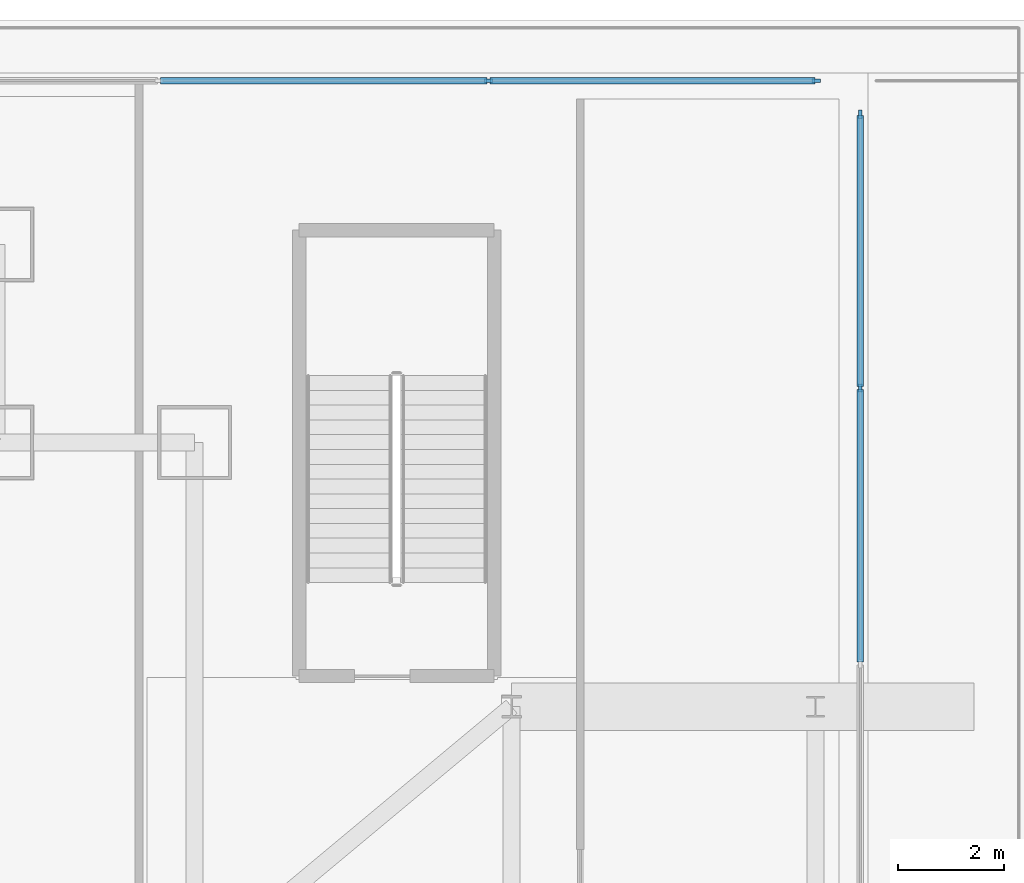
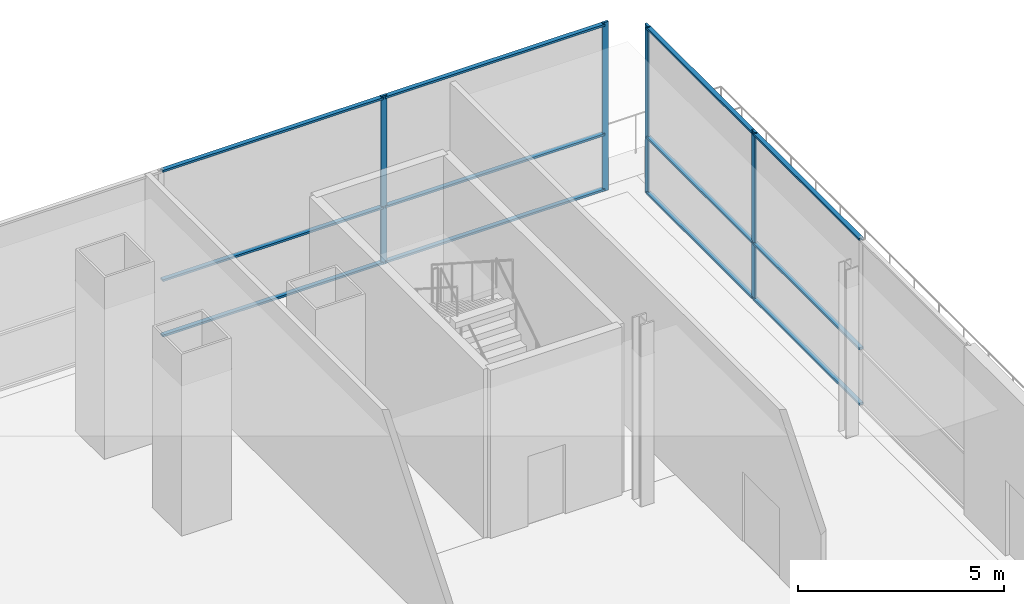
# One storey, part 19 of 35: 16 members, 2 elements without a shape of their own.
"""IFC4 building model written with IfcOpenShell, lengths in metres."""

from ifc_helpers import new_model, si_unit, direction, frame, origin, origin_2d, place, context, subcontext, project, spatial, rectangle, extrude, material, layer, layer_set, material_profile, profile_set, type_object, element, aggregate, save


model = new_model("IFC4")

# Units and contexts
model_context = context("Model", 3, precision=1e-05, world=origin(), true_north=direction((0.0, 1.0)))
body_context = subcontext(model_context, "Body", "Model", "MODEL_VIEW")
ifc_project = project(units=[si_unit("LENGTHUNIT", "METRE"), si_unit("AREAUNIT", "SQUARE_METRE"), si_unit("VOLUMEUNIT", "CUBIC_METRE"), si_unit("PLANEANGLEUNIT", "RADIAN"), si_unit("MASSUNIT", "GRAM", prefix="KILO")], contexts=[model_context])

# Site, building, storey
site_placement = place(None, origin())
site = spatial("IfcSite", under=ifc_project, at=site_placement, CompositionType="ELEMENT")
building_placement = place(site_placement, origin())
building = spatial("IfcBuilding", under=site, at=building_placement, Name="Trevonay Congress Spire", CompositionType="ELEMENT")
storey_placement = place(building_placement, frame((0.0, 0.0, 10.800048828125)))
storey = spatial("IfcBuildingStorey", under=building, at=storey_placement, Name="L02", CompositionType="ELEMENT", Elevation=10.800048828125)

# Curtain wall, members
ifc_material = material(Name="Pale Anodised Aluminium EN AW-6063-T6", Category="aluminium")
ifc_layer = layer(ifc_material, 0.179931640625, Name="Pale Anodised Aluminium EN AW-6063-T6")
ifc_layer_set = layer_set([ifc_layer], Name="Pale Anodised Aluminium EN AW-6063-T6")
curtain_wall_type = type_object("IfcCurtainWallType", Name="CW-SYS01-PODIUM-PALE-METAL", PredefinedType="NOTDEFINED", material=ifc_layer_set)
curtain_wall_1_placement = place(storey_placement, origin())
curtain_wall_1 = element("IfcCurtainWall", 1, at=curtain_wall_1_placement, inside=storey, type_object=curtain_wall_type, Name="L02 E2 podium curtain wall", PredefinedType="NOTDEFINED")
ifc_material_profile_1 = material_profile(ifc_material, rectangle(XDim=0.06005859375, YDim=0.159912109375, at=origin_2d()), Name="CW-MULLION-160-ALUMINIUM")
ifc_profile_set_1 = profile_set([ifc_material_profile_1], Name="Pale Anodised Aluminium EN AW-6063-T6")
member_type_1 = type_object("IfcMemberType", Name="CW-MULLION-160-ALUMINIUM", PredefinedType="MULLION", material=ifc_profile_set_1)
member_1_placement = place(storey_placement, frame((35.85009765625, 20.533447265625, 0.0), z_axis=(0.0, 0.0, 1.0), x_axis=(-1.0, 0.0, 0.0)))
member_1 = element("IfcMember", 2, at=member_1_placement, type_object=member_type_1, Name="CW01 mullion 3", PredefinedType="MULLION", context=body_context, shape_type="SweptSolid", body=[
    extrude(rectangle(XDim=0.06005859375, YDim=0.159912109375, at=origin_2d()), origin(), (0.0, 0.0, 1.0), 5.0),
])
member_2_placement = place(storey_placement, frame((35.85009765625, 25.719970703125, 0.0), z_axis=(0.0, 0.0, 1.0), x_axis=(-1.0, 0.0, 0.0)))
member_2 = element("IfcMember", 3, at=member_2_placement, type_object=member_type_1, Name="CW01 mullion 4", PredefinedType="MULLION", context=body_context, shape_type="SweptSolid", body=[
    extrude(rectangle(XDim=0.06005859375, YDim=0.159912109375, at=origin_2d()), origin(), (0.0, 0.0, 1.0), 5.0),
])

curtain_wall_2_placement = place(storey_placement, origin())
curtain_wall_2 = element("IfcCurtainWall", 4, at=curtain_wall_2_placement, inside=storey, type_object=curtain_wall_type, Name="L02 N2 podium curtain wall", PredefinedType="NOTDEFINED")
member_3_placement = place(storey_placement, frame((28.8125, 26.35009765625, 0.0), z_axis=(0.0, 0.0, 1.0), x_axis=(0.0, 1.0, 0.0)))
member_3 = element("IfcMember", 5, at=member_3_placement, type_object=member_type_1, Name="CW01 mullion 4", PredefinedType="MULLION", context=body_context, shape_type="SweptSolid", body=[
    extrude(rectangle(XDim=0.06005859375, YDim=0.159912109375, at=origin_2d()), origin(), (0.0, 0.0, 1.0), 5.0),
])
member_4_placement = place(storey_placement, frame((35.02001953125, 26.35009765625, 0.0), z_axis=(0.0, 0.0, 1.0), x_axis=(0.0, 1.0, 0.0)))
member_4 = element("IfcMember", 6, at=member_4_placement, type_object=member_type_1, Name="CW01 mullion 5", PredefinedType="MULLION", context=body_context, shape_type="SweptSolid", body=[
    extrude(rectangle(XDim=0.06005859375, YDim=0.159912109375, at=origin_2d()), origin(), (0.0, 0.0, 1.0), 5.0),
])

# Member
ifc_material_profile_2 = material_profile(ifc_material, rectangle(XDim=0.1201171875, YDim=0.06005859375, at=origin_2d()), Name="CW-TRANSOM-120-ALUMINIUM")
ifc_profile_set_2 = profile_set([ifc_material_profile_2], Name="Pale Anodised Aluminium EN AW-6063-T6")
member_type_2 = type_object("IfcMemberType", Name="CW-TRANSOM-120-ALUMINIUM", PredefinedType="USERDEFINED", material=ifc_profile_set_2)
member_5_placement = place(storey_placement, frame((35.85009765625, 15.3466796875, 0.06005859375), z_axis=(0.0, 1.0, 0.0), x_axis=(-1.0, 0.0, 0.0)))
member_5 = element("IfcMember", 7, at=member_5_placement, type_object=member_type_2, Name="CW01 transom 2.1", ObjectType="TRANSOM", PredefinedType="USERDEFINED", context=body_context, shape_type="SweptSolid", body=[
    extrude(rectangle(XDim=0.1201171875, YDim=0.06005859375, at=origin_2d()), origin(), (0.0, 0.0, 1.0), 5.15673828125),
])

member_6_placement = place(storey_placement, frame((35.85009765625, 15.3466796875, 1.699951171875), z_axis=(0.0, 1.0, 0.0), x_axis=(-1.0, 0.0, 0.0)))
member_6 = element("IfcMember", 8, at=member_6_placement, type_object=member_type_2, Name="CW01 transom 2.2", ObjectType="TRANSOM", PredefinedType="USERDEFINED", context=body_context, shape_type="SweptSolid", body=[
    extrude(rectangle(XDim=0.1201171875, YDim=0.06005859375, at=origin_2d()), origin(), (0.0, 0.0, 1.0), 5.15673828125),
])

member_7_placement = place(storey_placement, frame((35.85009765625, 15.3466796875, 4.93994140625), z_axis=(0.0, 1.0, 0.0), x_axis=(-1.0, 0.0, 0.0)))
member_7 = element("IfcMember", 9, at=member_7_placement, type_object=member_type_2, Name="CW01 transom 2.3", ObjectType="TRANSOM", PredefinedType="USERDEFINED", context=body_context, shape_type="SweptSolid", body=[
    extrude(rectangle(XDim=0.1201171875, YDim=0.06005859375, at=origin_2d()), origin(), (0.0, 0.0, 1.0), 5.15673828125),
])

member_8_placement = place(storey_placement, frame((35.85009765625, 20.563232421875, 0.06005859375), z_axis=(0.0, 1.0, 0.0), x_axis=(-1.0, 0.0, 0.0)))
member_8 = element("IfcMember", 10, at=member_8_placement, type_object=member_type_2, Name="CW01 transom 3.1", ObjectType="TRANSOM", PredefinedType="USERDEFINED", context=body_context, shape_type="SweptSolid", body=[
    extrude(rectangle(XDim=0.1201171875, YDim=0.06005859375, at=origin_2d()), origin(), (0.0, 0.0, 1.0), 5.126708984375),
])

member_9_placement = place(storey_placement, frame((35.85009765625, 20.563232421875, 1.699951171875), z_axis=(0.0, 1.0, 0.0), x_axis=(-1.0, 0.0, 0.0)))
member_9 = element("IfcMember", 11, at=member_9_placement, type_object=member_type_2, Name="CW01 transom 3.2", ObjectType="TRANSOM", PredefinedType="USERDEFINED", context=body_context, shape_type="SweptSolid", body=[
    extrude(rectangle(XDim=0.1201171875, YDim=0.06005859375, at=origin_2d()), origin(), (0.0, 0.0, 1.0), 5.126708984375),
])

member_10_placement = place(storey_placement, frame((35.85009765625, 20.563232421875, 4.93994140625), z_axis=(0.0, 1.0, 0.0), x_axis=(-1.0, 0.0, 0.0)))
member_10 = element("IfcMember", 12, at=member_10_placement, type_object=member_type_2, Name="CW01 transom 3.3", ObjectType="TRANSOM", PredefinedType="USERDEFINED", context=body_context, shape_type="SweptSolid", body=[
    extrude(rectangle(XDim=0.1201171875, YDim=0.06005859375, at=origin_2d()), origin(), (0.0, 0.0, 1.0), 5.126708984375),
])

aggregate(curtain_wall_1, [member_1, member_2, member_5, member_6, member_7, member_8, member_9, member_10])

member_11_placement = place(storey_placement, frame((22.60498046875, 26.35009765625, 0.06005859375), z_axis=(1.0, 0.0, 0.0), x_axis=(0.0, 1.0, 0.0)))
member_11 = element("IfcMember", 13, at=member_11_placement, type_object=member_type_2, Name="CW01 transom 3.1", ObjectType="TRANSOM", PredefinedType="USERDEFINED", context=body_context, shape_type="SweptSolid", body=[
    extrude(rectangle(XDim=0.1201171875, YDim=0.06005859375, at=origin_2d()), origin(), (0.0, 0.0, 1.0), 6.177490234375),
])

member_12_placement = place(storey_placement, frame((22.60498046875, 26.35009765625, 1.699951171875), z_axis=(1.0, 0.0, 0.0), x_axis=(0.0, 1.0, 0.0)))
member_12 = element("IfcMember", 14, at=member_12_placement, type_object=member_type_2, Name="CW01 transom 3.2", ObjectType="TRANSOM", PredefinedType="USERDEFINED", context=body_context, shape_type="SweptSolid", body=[
    extrude(rectangle(XDim=0.1201171875, YDim=0.06005859375, at=origin_2d()), origin(), (0.0, 0.0, 1.0), 6.177490234375),
])

member_13_placement = place(storey_placement, frame((22.60498046875, 26.35009765625, 4.93994140625), z_axis=(1.0, 0.0, 0.0), x_axis=(0.0, 1.0, 0.0)))
member_13 = element("IfcMember", 15, at=member_13_placement, type_object=member_type_2, Name="CW01 transom 3.3", ObjectType="TRANSOM", PredefinedType="USERDEFINED", context=body_context, shape_type="SweptSolid", body=[
    extrude(rectangle(XDim=0.1201171875, YDim=0.06005859375, at=origin_2d()), origin(), (0.0, 0.0, 1.0), 6.177490234375),
])

member_14_placement = place(storey_placement, frame((28.842529296875, 26.35009765625, 0.06005859375), z_axis=(1.0, 0.0, 0.0), x_axis=(0.0, 1.0, 0.0)))
member_14 = element("IfcMember", 16, at=member_14_placement, type_object=member_type_2, Name="CW01 transom 4.1", ObjectType="TRANSOM", PredefinedType="USERDEFINED", context=body_context, shape_type="SweptSolid", body=[
    extrude(rectangle(XDim=0.1201171875, YDim=0.06005859375, at=origin_2d()), origin(), (0.0, 0.0, 1.0), 6.1474609375),
])

member_15_placement = place(storey_placement, frame((28.842529296875, 26.35009765625, 1.699951171875), z_axis=(1.0, 0.0, 0.0), x_axis=(0.0, 1.0, 0.0)))
member_15 = element("IfcMember", 17, at=member_15_placement, type_object=member_type_2, Name="CW01 transom 4.2", ObjectType="TRANSOM", PredefinedType="USERDEFINED", context=body_context, shape_type="SweptSolid", body=[
    extrude(rectangle(XDim=0.1201171875, YDim=0.06005859375, at=origin_2d()), origin(), (0.0, 0.0, 1.0), 6.1474609375),
])

member_16_placement = place(storey_placement, frame((28.842529296875, 26.35009765625, 4.93994140625), z_axis=(1.0, 0.0, 0.0), x_axis=(0.0, 1.0, 0.0)))
member_16 = element("IfcMember", 18, at=member_16_placement, type_object=member_type_2, Name="CW01 transom 4.3", ObjectType="TRANSOM", PredefinedType="USERDEFINED", context=body_context, shape_type="SweptSolid", body=[
    extrude(rectangle(XDim=0.1201171875, YDim=0.06005859375, at=origin_2d()), origin(), (0.0, 0.0, 1.0), 6.1474609375),
])

aggregate(curtain_wall_2, [member_3, member_4, member_11, member_12, member_13, member_14, member_15, member_16])

save(model, "model.ifc")
